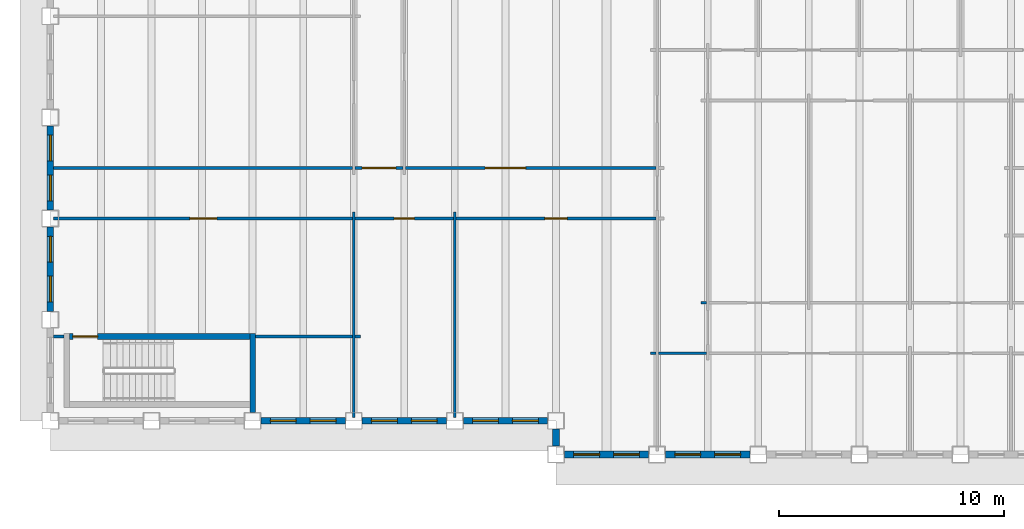
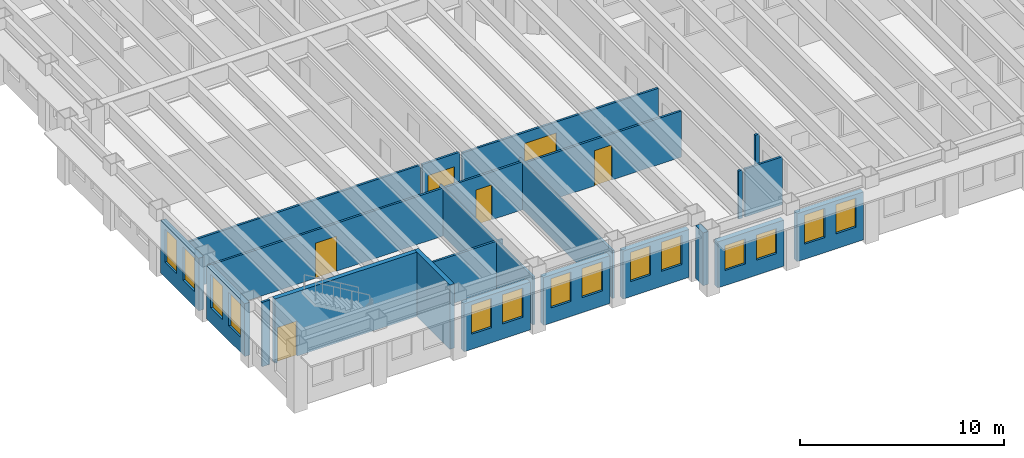
# One storey, part 3 of 16: 24 walls, 14 windows, 6 doors, 20 openings.
"""IFC4 building model written with IfcOpenShell, lengths in metres."""

from ifc_helpers import new_model, si_unit, direction, frame, frame_2d, origin, place, context, subcontext, project, spatial, rectangle, extrude, material, layer, layer_set, type_object, element, fill, save


model = new_model("IFC4")

# Units and contexts
model_context = context("Model", 3, precision=1e-05, world=origin(), true_north=direction((0.0, 1.0)))
body_context = subcontext(model_context, "Body", "Model", "MODEL_VIEW")
ifc_project = project(units=[si_unit("LENGTHUNIT", "METRE"), si_unit("AREAUNIT", "SQUARE_METRE"), si_unit("VOLUMEUNIT", "CUBIC_METRE"), si_unit("PLANEANGLEUNIT", "RADIAN"), si_unit("MASSUNIT", "GRAM", prefix="KILO")], contexts=[model_context])

# Site, building, storey
site_placement = place(None, origin())
site = spatial("IfcSite", under=ifc_project, at=site_placement, CompositionType="ELEMENT")
building_placement = place(site_placement, origin())
building = spatial("IfcBuilding", under=site, at=building_placement, Name="Sennacour Bend Tower", CompositionType="ELEMENT")
storey_placement = place(building_placement, frame((0.0, 0.0, 227.0)))
storey = spatial("IfcBuildingStorey", under=building, at=storey_placement, Name="L52", CompositionType="ELEMENT", Elevation=227.0)

# Walls
ifc_material_1 = material(Name="Plasterboard partition on steel studs", Category="steel")
ifc_layer_1 = layer(ifc_material_1, 0.1201171875, Name="Plasterboard partition on steel studs", Category="steel")
ifc_layer_set_1 = layer_set([ifc_layer_1], Name="Plasterboard partition on steel studs")
wall_type_1 = type_object("IfcWallType", Name="Partition 120", PredefinedType="PARTITIONING", material=ifc_layer_set_1)
for number, where, z_axis, x_axis, name in (
    (1, (13.5, 0.14990234375, 0.0), (0.0, 0.0, 1.0), (0.0, 1.0, 0.0), "P-L52-W015a"),
    (2, (18.0, 0.14990234375, 0.0), (0.0, 0.0, 1.0), (0.0, 1.0, 0.0), "P-L52-W020a"),
):
    element("IfcWall", number, at=place(storey_placement, frame(where, z_axis=z_axis, x_axis=x_axis)), inside=storey, type_object=wall_type_1, Name=name, PredefinedType="PARTITIONING", context=body_context, shape_type="SweptSolid", body=[
        extrude(rectangle(XDim=9.150146484375, YDim=0.1201171875, at=frame_2d((4.5751953125, 0.0))), origin(), (0.0, 0.0, 1.0), 2.8701171875),
    ])
wall_1_placement = place(storey_placement, frame((26.699951171875, 3.0, 0.0), z_axis=(0.0, 0.0, 1.0), x_axis=(1.0, 0.0, 0.0)))
element("IfcWall", 3, at=wall_1_placement, inside=storey, type_object=wall_type_1, Name="P-L52-W053aa", PredefinedType="PARTITIONING", context=body_context, shape_type="SweptSolid", body=[
    extrude(rectangle(XDim=0.239990234375, YDim=0.1201171875, at=frame_2d((0.1201171875, 0.0))), origin(), (0.0, 0.0, 1.0), 2.8701171875),
])
wall_2_placement = place(storey_placement, frame((27.06005859375, 3.0, 0.0), z_axis=(0.0, 0.0, 1.0), x_axis=(1.0, 0.0, 0.0)))
element("IfcWall", 4, at=wall_2_placement, inside=storey, type_object=wall_type_1, Name="P-L52-W053ab", PredefinedType="PARTITIONING", context=body_context, shape_type="SweptSolid", body=[
    extrude(rectangle(XDim=2.1298828125, YDim=0.1201171875, at=frame_2d((1.06494140625, 0.0))), origin(), (0.0, 0.0, 1.0), 2.8701171875),
])
wall_3_placement = place(storey_placement, frame((0.14990234375, 3.75, 0.0), z_axis=(0.0, 0.0, 1.0), x_axis=(1.0, 0.0, 0.0)))
element("IfcWall", 5, at=wall_3_placement, inside=storey, type_object=wall_type_1, Name="P-L52-W054a", PredefinedType="PARTITIONING", context=body_context, shape_type="SweptSolid", body=[
    extrude(rectangle(XDim=0.4501953125, YDim=0.1201171875, at=frame_2d((0.22509765625, 0.0))), origin(), (0.0, 0.0, 1.0), 3.85009765625),
])
wall_4_placement = place(storey_placement, frame((9.125, 3.75, 0.0), z_axis=(0.0, 0.0, 1.0), x_axis=(1.0, 0.0, 0.0)))
element("IfcWall", 6, at=wall_4_placement, inside=storey, type_object=wall_type_1, Name="P-L52-W056aa", PredefinedType="PARTITIONING", context=body_context, shape_type="SweptSolid", body=[
    extrude(rectangle(XDim=4.31494140625, YDim=0.1201171875, at=frame_2d((2.157470703125, 0.0))), origin(), (0.0, 0.0, 1.0), 2.8701171875),
])
for number, where, z_axis, x_axis, name in (
    (7, (13.56005859375, 3.75, 0.0), (0.0, 0.0, 1.0), (1.0, 0.0, 0.0), "P-L52-W056ab"),
    (8, (28.949951171875, 5.25, 0.0), (0.0, 0.0, 1.0), (1.0, 0.0, 0.0), "P-L52-W059aa"),
):
    element("IfcWall", number, at=place(storey_placement, frame(where, z_axis=z_axis, x_axis=x_axis)), inside=storey, type_object=wall_type_1, Name=name, PredefinedType="PARTITIONING", context=body_context, shape_type="SweptSolid", body=[
        extrude(rectangle(XDim=0.239990234375, YDim=0.1201171875, at=frame_2d((0.1201171875, 0.0))), origin(), (0.0, 0.0, 1.0), 2.8701171875),
    ])

# Wall, opening, door
wall_5_placement = place(storey_placement, frame((18.06005859375, 9.0, 0.0), z_axis=(0.0, 0.0, 1.0), x_axis=(1.0, 0.0, 0.0)))
wall_5 = element("IfcWall", 9, at=wall_5_placement, inside=storey, type_object=wall_type_1, Name="P-L52-W062ac", PredefinedType="PARTITIONING", context=body_context, shape_type="SweptSolid", body=[
    extrude(rectangle(XDim=8.8798828125, YDim=0.1201171875, at=frame_2d((4.43994140625, 0.0))), origin(), (0.0, 0.0, 1.0), 2.760009765625),
])
opening_1_placement = place(wall_5_placement, frame((3.93994140625, 0.0, 0.0)))
opening_1 = element("IfcOpeningElement", 10, at=opening_1_placement, cuts=wall_5, Name="Opening OD2", PredefinedType="OPENING", context=body_context, shape_type="SweptSolid", body=[
    extrude(rectangle(XDim=1.0, YDim=2.10009765625, at=frame_2d((0.5, 1.050048828125))), frame((0.0, 0.070068359375, 0.0), z_axis=(0.0, -1.0, 0.0), x_axis=(1.0, 0.0, 0.0)), (0.0, 0.0, 1.0), 0.14013671875),
])
ifc_material_2 = material(Name="Timber", Category="wood")
door_type_1 = type_object("IfcDoorType", Name="DR-OFFICE-1000", OperationType="NOTDEFINED", PredefinedType="DOOR", material=ifc_material_2)
door_1_placement = place(opening_1_placement, origin())
door_1 = element("IfcDoor", 11, at=door_1_placement, inside=storey, type_object=door_type_1, Name="Door", OperationType="SINGLE_SWING_LEFT", OverallHeight=2.10009765625, OverallWidth=1.0, PredefinedType="DOOR", context=body_context, shape_type="SweptSolid", body=[
    extrude(rectangle(XDim=1.0, YDim=2.10009765625, at=frame_2d((0.5, 1.050048828125))), frame((0.0, 0.02490234375, 0.0), z_axis=(0.0, -1.0, 0.0), x_axis=(1.0, 0.0, 0.0)), (0.0, 0.0, 1.0), 0.050048828125),
])
fill(opening_1, door_1)

# Wall
wall_6_placement = place(storey_placement, frame((0.14990234375, 11.25, 0.0), z_axis=(0.0, 0.0, 1.0), x_axis=(1.0, 0.0, 0.0)))
element("IfcWall", 12, at=wall_6_placement, inside=storey, type_object=wall_type_1, Name="P-L52-W065aa", PredefinedType="PARTITIONING", context=body_context, shape_type="SweptSolid", body=[
    extrude(rectangle(XDim=13.2900390625, YDim=0.1201171875, at=frame_2d((6.64501953125, 0.0))), origin(), (0.0, 0.0, 1.0), 2.8701171875),
])

# Wall, opening, door
wall_7_placement = place(storey_placement, frame((15.81005859375, 11.25, 0.0), z_axis=(0.0, 0.0, 1.0), x_axis=(1.0, 0.0, 0.0)))
wall_7 = element("IfcWall", 13, at=wall_7_placement, inside=storey, type_object=wall_type_1, Name="P-L52-W065ac", PredefinedType="PARTITIONING", context=body_context, shape_type="SweptSolid", body=[
    extrude(rectangle(XDim=11.1298828125, YDim=0.1201171875, at=frame_2d((5.56494140625, 0.0))), origin(), (0.0, 0.0, 1.0), 2.760009765625),
])
opening_2_placement = place(wall_7_placement, frame((3.539794921875, 0.0, 0.0)))
opening_2 = element("IfcOpeningElement", 14, at=opening_2_placement, cuts=wall_7, Name="Opening OD3", PredefinedType="OPENING", context=body_context, shape_type="SweptSolid", body=[
    extrude(rectangle(XDim=1.800048828125, YDim=2.10009765625, at=frame_2d((0.89990234375, 1.050048828125))), frame((0.0, 0.070068359375, 0.0), z_axis=(0.0, -1.0, 0.0), x_axis=(1.0, 0.0, 0.0)), (0.0, 0.0, 1.0), 0.14013671875),
])
door_type_2 = type_object("IfcDoorType", Name="DR-OFFICE-1800", OperationType="NOTDEFINED", PredefinedType="DOOR", material=ifc_material_2)
door_2_placement = place(opening_2_placement, origin())
door_2 = element("IfcDoor", 15, at=door_2_placement, inside=storey, type_object=door_type_2, Name="Door", OperationType="DOUBLE_DOOR_SINGLE_SWING", OverallHeight=2.10009765625, OverallWidth=1.800048828125, PredefinedType="DOOR", context=body_context, shape_type="SweptSolid", body=[
    extrude(rectangle(XDim=1.800048828125, YDim=2.10009765625, at=frame_2d((0.89990234375, 1.050048828125))), frame((0.0, 0.02490234375, 0.0), z_axis=(0.0, -1.0, 0.0), x_axis=(1.0, 0.0, 0.0)), (0.0, 0.0, 1.0), 0.050048828125),
])
fill(opening_2, door_2)

ifc_layer_2 = layer(ifc_material_1, 0.1201171875, Name="Plasterboard partition on steel studs", Category="steel")
ifc_layer_set_2 = layer_set([ifc_layer_2], Name="Plasterboard partition on steel studs")
wall_type_2 = type_object("IfcWallType", Name="Partition 120 EI 30", PredefinedType="PARTITIONING", material=ifc_layer_set_2)
wall_8_placement = place(storey_placement, frame((0.14990234375, 9.0, 0.0), z_axis=(0.0, 0.0, 1.0), x_axis=(1.0, 0.0, 0.0)))
wall_8 = element("IfcWall", 16, at=wall_8_placement, inside=storey, type_object=wall_type_2, Name="P-L52-W062aa", PredefinedType="PARTITIONING", context=body_context, shape_type="SweptSolid", body=[
    extrude(rectangle(XDim=13.2900390625, YDim=0.1201171875, at=frame_2d((6.64501953125, 0.0))), origin(), (0.0, 0.0, 1.0), 2.8701171875),
])
opening_3_placement = place(wall_8_placement, frame((6.05517578125, 0.0, 0.0)))
opening_3 = element("IfcOpeningElement", 17, at=opening_3_placement, cuts=wall_8, Name="Opening KD2", PredefinedType="OPENING", context=body_context, shape_type="SweptSolid", body=[
    extrude(rectangle(XDim=1.199951171875, YDim=2.10009765625, at=frame_2d((0.60009765625, 1.050048828125))), frame((0.0, 0.070068359375, 0.0), z_axis=(0.0, -1.0, 0.0), x_axis=(1.0, 0.0, 0.0)), (0.0, 0.0, 1.0), 0.14013671875),
])
ifc_material_3 = material(Name="Painted steel", Category="steel")
door_type_3 = type_object("IfcDoorType", Name="DR-CORRIDOR-1200", OperationType="NOTDEFINED", PredefinedType="DOOR", material=ifc_material_3)
door_3_placement = place(opening_3_placement, origin())
door_3 = element("IfcDoor", 18, at=door_3_placement, inside=storey, type_object=door_type_3, Name="Door", OperationType="SINGLE_SWING_LEFT", OverallHeight=2.10009765625, OverallWidth=1.199951171875, PredefinedType="DOOR", context=body_context, shape_type="SweptSolid", body=[
    extrude(rectangle(XDim=1.199951171875, YDim=2.10009765625, at=frame_2d((0.60009765625, 1.050048828125))), frame((0.0, 0.02490234375, 0.0), z_axis=(0.0, -1.0, 0.0), x_axis=(1.0, 0.0, 0.0)), (0.0, 0.0, 1.0), 0.050048828125),
])
fill(opening_3, door_3)

wall_9_placement = place(storey_placement, frame((13.56005859375, 11.25, 0.0), z_axis=(0.0, 0.0, 1.0), x_axis=(1.0, 0.0, 0.0)))
wall_9 = element("IfcWall", 19, at=wall_9_placement, inside=storey, type_object=wall_type_2, Name="P-L52-W065ab", PredefinedType="PARTITIONING", context=body_context, shape_type="SweptSolid", body=[
    extrude(rectangle(XDim=2.1298828125, YDim=0.1201171875, at=frame_2d((1.06494140625, 0.0))), origin(), (0.0, 0.0, 1.0), 2.8701171875),
])
opening_4_placement = place(wall_9_placement, frame((0.31494140625, 0.0, 0.0)))
opening_4 = element("IfcOpeningElement", 20, at=opening_4_placement, cuts=wall_9, Name="Opening KD", PredefinedType="OPENING", context=body_context, shape_type="SweptSolid", body=[
    extrude(rectangle(XDim=1.5, YDim=2.10009765625, at=frame_2d((0.75, 1.050048828125))), frame((0.0, 0.070068359375, 0.0), z_axis=(0.0, -1.0, 0.0), x_axis=(1.0, 0.0, 0.0)), (0.0, 0.0, 1.0), 0.14013671875),
])
door_type_4 = type_object("IfcDoorType", Name="DR-CORRIDOR-1500", OperationType="NOTDEFINED", PredefinedType="DOOR", material=ifc_material_3)
door_4_placement = place(opening_4_placement, origin())
door_4 = element("IfcDoor", 21, at=door_4_placement, inside=storey, type_object=door_type_4, Name="Door", OperationType="SINGLE_SWING_LEFT", OverallHeight=2.10009765625, OverallWidth=1.5, PredefinedType="DOOR", context=body_context, shape_type="SweptSolid", body=[
    extrude(rectangle(XDim=1.5, YDim=2.10009765625, at=frame_2d((0.75, 1.050048828125))), frame((0.0, 0.02490234375, 0.0), z_axis=(0.0, -1.0, 0.0), x_axis=(1.0, 0.0, 0.0)), (0.0, 0.0, 1.0), 0.050048828125),
])
fill(opening_4, door_4)

ifc_layer_3 = layer(ifc_material_1, 0.1201171875, Name="Plasterboard partition on steel studs", Category="steel")
ifc_layer_set_3 = layer_set([ifc_layer_3], Name="Plasterboard partition on steel studs")
wall_type_3 = type_object("IfcWallType", Name="Partition 120 EI 60", PredefinedType="PARTITIONING", material=ifc_layer_set_3)
wall_10_placement = place(storey_placement, frame((13.56005859375, 9.0, 0.0), z_axis=(0.0, 0.0, 1.0), x_axis=(1.0, 0.0, 0.0)))
wall_10 = element("IfcWall", 22, at=wall_10_placement, inside=storey, type_object=wall_type_3, Name="P-L52-W062ab", PredefinedType="PARTITIONING", context=body_context, shape_type="SweptSolid", body=[
    extrude(rectangle(XDim=4.3798828125, YDim=0.1201171875, at=frame_2d((2.18994140625, 0.0))), origin(), (0.0, 0.0, 1.0), 2.8701171875),
])
opening_5_placement = place(wall_10_placement, frame((1.739990234375, 0.0, 0.0)))
opening_5 = element("IfcOpeningElement", 23, at=opening_5_placement, cuts=wall_10, Name="Opening SV", PredefinedType="OPENING", context=body_context, shape_type="SweptSolid", body=[
    extrude(rectangle(XDim=0.89990234375, YDim=2.10009765625, at=frame_2d((0.449951171875, 1.050048828125))), frame((0.0, 0.070068359375, 0.0), z_axis=(0.0, -1.0, 0.0), x_axis=(1.0, 0.0, 0.0)), (0.0, 0.0, 1.0), 0.14013671875),
])
door_type_5 = type_object("IfcDoorType", Name="DR-SERVICE-900", OperationType="NOTDEFINED", PredefinedType="DOOR", material=ifc_material_3)
door_5_placement = place(opening_5_placement, origin())
door_5 = element("IfcDoor", 24, at=door_5_placement, inside=storey, type_object=door_type_5, Name="Door", OperationType="SINGLE_SWING_LEFT", OverallHeight=2.10009765625, OverallWidth=0.89990234375, PredefinedType="DOOR", context=body_context, shape_type="SweptSolid", body=[
    extrude(rectangle(XDim=0.89990234375, YDim=2.10009765625, at=frame_2d((0.449951171875, 1.050048828125))), frame((0.0, 0.02490234375, 0.0), z_axis=(0.0, -1.0, 0.0), x_axis=(1.0, 0.0, 0.0)), (0.0, 0.0, 1.0), 0.050048828125),
])
fill(opening_5, door_5)

# Wall, openings, windows
ifc_material_4 = material(Name="Warm limestone cladding", Category="masonry")
ifc_layer_4 = layer(ifc_material_4, 0.050048828125, Name="Warm limestone cladding", Category="masonry")
ifc_material_5 = material(Name="Precast concrete C40/50", Category="concrete")
ifc_layer_5 = layer(ifc_material_5, 0.25, Name="Precast concrete C40/50", Category="concrete")
ifc_layer_set_4 = layer_set([ifc_layer_4, ifc_layer_5], Name="Precast concrete C40/50 with limestone cladding")
wall_type_4 = type_object("IfcWallType", Name="STONE-CLAD PRECAST SPANDREL 300", PredefinedType="STANDARD", material=ifc_layer_set_4)
wall_11_placement = place(storey_placement, frame((22.875, -1.5, 0.0), z_axis=(0.0, 0.0, 1.0), x_axis=(1.0, 0.0, 0.0)))
wall_11 = element("IfcWall", 25, at=wall_11_placement, inside=storey, type_object=wall_type_4, Name="Stone spandrel and pier wall L52 00.00", PredefinedType="STANDARD", context=body_context, shape_type="SweptSolid", body=[
    extrude(rectangle(XDim=3.75, YDim=0.300048828125, at=frame_2d((1.875, 0.0))), origin(), (0.0, 0.0, 1.0), 2.760009765625),
])
opening_6_placement = place(wall_11_placement, frame((0.41259765625, 0.0, 0.89990234375)))
opening_6 = element("IfcOpeningElement", 26, at=opening_6_placement, cuts=wall_11, Name="Opening W22", PredefinedType="OPENING", context=body_context, shape_type="SweptSolid", body=[
    extrude(rectangle(XDim=1.14990234375, YDim=1.5, at=frame_2d((0.574951171875, 0.75))), frame((0.0, 0.16015625, 0.0), z_axis=(0.0, -1.0, 0.0), x_axis=(1.0, 0.0, 0.0)), (0.0, 0.0, 1.0), 0.320068359375),
])
opening_7_placement = place(wall_11_placement, frame((2.1875, 0.0, 0.89990234375)))
opening_7 = element("IfcOpeningElement", 27, at=opening_7_placement, cuts=wall_11, Name="Opening W22", PredefinedType="OPENING", context=body_context, shape_type="SweptSolid", body=[
    extrude(rectangle(XDim=1.14990234375, YDim=1.5, at=frame_2d((0.574951171875, 0.75))), frame((0.0, 0.16015625, 0.0), z_axis=(0.0, -1.0, 0.0), x_axis=(1.0, 0.0, 0.0)), (0.0, 0.0, 1.0), 0.320068359375),
])
ifc_material_6 = material(Name="Clear low-emissivity glass", Category="glass")
window_type_1 = type_object("IfcWindowType", Name="WIN-RIBBON-1150x1500", PartitioningType="SINGLE_PANEL", PredefinedType="WINDOW", material=ifc_material_6)
window_1_placement = place(opening_6_placement, origin())
window_1 = element("IfcWindow", 28, at=window_1_placement, inside=storey, type_object=window_type_1, Name="Ribbon window L52 00.00.0", OverallHeight=1.5, OverallWidth=1.14990234375, PartitioningType="SINGLE_PANEL", PredefinedType="WINDOW", context=body_context, shape_type="SweptSolid", body=[
    extrude(rectangle(XDim=1.14990234375, YDim=1.5, at=frame_2d((0.574951171875, 0.75))), frame((0.0, 0.030029296875, 0.0), z_axis=(0.0, -1.0, 0.0), x_axis=(1.0, 0.0, 0.0)), (0.0, 0.0, 1.0), 0.06005859375),
])
fill(opening_6, window_1)
window_2_placement = place(opening_7_placement, origin())
window_2 = element("IfcWindow", 29, at=window_2_placement, inside=storey, type_object=window_type_1, Name="Ribbon window L52 00.00.1", OverallHeight=1.5, OverallWidth=1.14990234375, PartitioningType="SINGLE_PANEL", PredefinedType="WINDOW", context=body_context, shape_type="SweptSolid", body=[
    extrude(rectangle(XDim=1.14990234375, YDim=1.5, at=frame_2d((0.574951171875, 0.75))), frame((0.0, 0.030029296875, 0.0), z_axis=(0.0, -1.0, 0.0), x_axis=(1.0, 0.0, 0.0)), (0.0, 0.0, 1.0), 0.06005859375),
])
fill(opening_7, window_2)

wall_12_placement = place(storey_placement, frame((27.375, -1.5, 0.0), z_axis=(0.0, 0.0, 1.0), x_axis=(1.0, 0.0, 0.0)))
wall_12 = element("IfcWall", 30, at=wall_12_placement, inside=storey, type_object=wall_type_4, Name="Stone spandrel and pier wall L52 00.01", PredefinedType="STANDARD", context=body_context, shape_type="SweptSolid", body=[
    extrude(rectangle(XDim=3.75, YDim=0.300048828125, at=frame_2d((1.875, 0.0))), origin(), (0.0, 0.0, 1.0), 2.8701171875),
])
opening_8_placement = place(wall_12_placement, frame((0.41259765625, 0.0, 0.89990234375)))
opening_8 = element("IfcOpeningElement", 31, at=opening_8_placement, cuts=wall_12, Name="Opening W23", PredefinedType="OPENING", context=body_context, shape_type="SweptSolid", body=[
    extrude(rectangle(XDim=1.14990234375, YDim=1.75, at=frame_2d((0.574951171875, 0.875))), frame((0.0, 0.16015625, 0.0), z_axis=(0.0, -1.0, 0.0), x_axis=(1.0, 0.0, 0.0)), (0.0, 0.0, 1.0), 0.320068359375),
])
opening_9_placement = place(wall_12_placement, frame((2.1875, 0.0, 0.89990234375)))
opening_9 = element("IfcOpeningElement", 32, at=opening_9_placement, cuts=wall_12, Name="Opening W23", PredefinedType="OPENING", context=body_context, shape_type="SweptSolid", body=[
    extrude(rectangle(XDim=1.14990234375, YDim=1.75, at=frame_2d((0.574951171875, 0.875))), frame((0.0, 0.16015625, 0.0), z_axis=(0.0, -1.0, 0.0), x_axis=(1.0, 0.0, 0.0)), (0.0, 0.0, 1.0), 0.320068359375),
])
window_type_2 = type_object("IfcWindowType", Name="WIN-RIBBON-1150x1750", PartitioningType="SINGLE_PANEL", PredefinedType="WINDOW", material=ifc_material_6)
window_3_placement = place(opening_8_placement, origin())
window_3 = element("IfcWindow", 33, at=window_3_placement, inside=storey, type_object=window_type_2, Name="Ribbon window L52 00.01.0", OverallHeight=1.75, OverallWidth=1.14990234375, PartitioningType="SINGLE_PANEL", PredefinedType="WINDOW", context=body_context, shape_type="SweptSolid", body=[
    extrude(rectangle(XDim=1.14990234375, YDim=1.75, at=frame_2d((0.574951171875, 0.875))), frame((0.0, 0.030029296875, 0.0), z_axis=(0.0, -1.0, 0.0), x_axis=(1.0, 0.0, 0.0)), (0.0, 0.0, 1.0), 0.06005859375),
])
fill(opening_8, window_3)
window_4_placement = place(opening_9_placement, origin())
window_4 = element("IfcWindow", 34, at=window_4_placement, inside=storey, type_object=window_type_2, Name="Ribbon window L52 00.01.1", OverallHeight=1.75, OverallWidth=1.14990234375, PartitioningType="SINGLE_PANEL", PredefinedType="WINDOW", context=body_context, shape_type="SweptSolid", body=[
    extrude(rectangle(XDim=1.14990234375, YDim=1.75, at=frame_2d((0.574951171875, 0.875))), frame((0.0, 0.030029296875, 0.0), z_axis=(0.0, -1.0, 0.0), x_axis=(1.0, 0.0, 0.0)), (0.0, 0.0, 1.0), 0.06005859375),
])
fill(opening_9, window_4)

wall_13_placement = place(storey_placement, frame((0.0, 13.125, 0.0), z_axis=(0.0, 0.0, 1.0), x_axis=(0.0, -1.0, 0.0)))
wall_13 = element("IfcWall", 35, at=wall_13_placement, inside=storey, type_object=wall_type_4, Name="Stone spandrel and pier wall L52 21.02", PredefinedType="STANDARD", context=body_context, shape_type="SweptSolid", body=[
    extrude(rectangle(XDim=3.75, YDim=0.300048828125, at=frame_2d((1.875, 0.0))), origin(), (0.0, 0.0, 1.0), 3.156982421875),
])
opening_10_placement = place(wall_13_placement, frame((0.41259765625, 0.0, 0.89990234375)))
opening_10 = element("IfcOpeningElement", 36, at=opening_10_placement, cuts=wall_13, Name="Opening W24", PredefinedType="OPENING", context=body_context, shape_type="SweptSolid", body=[
    extrude(rectangle(XDim=1.14990234375, YDim=2.0, at=frame_2d((0.574951171875, 1.0))), frame((0.0, 0.16015625, 0.0), z_axis=(0.0, -1.0, 0.0), x_axis=(1.0, 0.0, 0.0)), (0.0, 0.0, 1.0), 0.320068359375),
])
opening_11_placement = place(wall_13_placement, frame((2.1875, 0.0, 0.89990234375)))
opening_11 = element("IfcOpeningElement", 37, at=opening_11_placement, cuts=wall_13, Name="Opening W24", PredefinedType="OPENING", context=body_context, shape_type="SweptSolid", body=[
    extrude(rectangle(XDim=1.14990234375, YDim=2.0, at=frame_2d((0.574951171875, 1.0))), frame((0.0, 0.16015625, 0.0), z_axis=(0.0, -1.0, 0.0), x_axis=(1.0, 0.0, 0.0)), (0.0, 0.0, 1.0), 0.320068359375),
])
window_type_3 = type_object("IfcWindowType", Name="WIN-RIBBON-1150x2000", PartitioningType="SINGLE_PANEL", PredefinedType="WINDOW", material=ifc_material_6)
window_5_placement = place(opening_10_placement, origin())
window_5 = element("IfcWindow", 38, at=window_5_placement, inside=storey, type_object=window_type_3, Name="Ribbon window L52 21.02.0", OverallHeight=2.0, OverallWidth=1.14990234375, PartitioningType="SINGLE_PANEL", PredefinedType="WINDOW", context=body_context, shape_type="SweptSolid", body=[
    extrude(rectangle(XDim=1.14990234375, YDim=2.0, at=frame_2d((0.574951171875, 1.0))), frame((0.0, 0.030029296875, 0.0), z_axis=(0.0, -1.0, 0.0), x_axis=(1.0, 0.0, 0.0)), (0.0, 0.0, 1.0), 0.06005859375),
])
fill(opening_10, window_5)
window_6_placement = place(opening_11_placement, origin())
window_6 = element("IfcWindow", 39, at=window_6_placement, inside=storey, type_object=window_type_3, Name="Ribbon window L52 21.02.1", OverallHeight=2.0, OverallWidth=1.14990234375, PartitioningType="SINGLE_PANEL", PredefinedType="WINDOW", context=body_context, shape_type="SweptSolid", body=[
    extrude(rectangle(XDim=1.14990234375, YDim=2.0, at=frame_2d((0.574951171875, 1.0))), frame((0.0, 0.030029296875, 0.0), z_axis=(0.0, -1.0, 0.0), x_axis=(1.0, 0.0, 0.0)), (0.0, 0.0, 1.0), 0.06005859375),
])
fill(opening_11, window_6)

wall_14_placement = place(storey_placement, frame((0.0, 8.625, 0.0), z_axis=(0.0, 0.0, 1.0), x_axis=(0.0, -1.0, 0.0)))
wall_14 = element("IfcWall", 40, at=wall_14_placement, inside=storey, type_object=wall_type_4, Name="Stone spandrel and pier wall L52 21.03", PredefinedType="STANDARD", context=body_context, shape_type="SweptSolid", body=[
    extrude(rectangle(XDim=3.75, YDim=0.300048828125, at=frame_2d((1.875, 0.0))), origin(), (0.0, 0.0, 1.0), 3.156982421875),
])
opening_12_placement = place(wall_14_placement, frame((0.41259765625, 0.0, 0.89990234375)))
opening_12 = element("IfcOpeningElement", 41, at=opening_12_placement, cuts=wall_14, Name="Opening W24", PredefinedType="OPENING", context=body_context, shape_type="SweptSolid", body=[
    extrude(rectangle(XDim=1.14990234375, YDim=2.0, at=frame_2d((0.574951171875, 1.0))), frame((0.0, 0.16015625, 0.0), z_axis=(0.0, -1.0, 0.0), x_axis=(1.0, 0.0, 0.0)), (0.0, 0.0, 1.0), 0.320068359375),
])
opening_13_placement = place(wall_14_placement, frame((2.1875, 0.0, 0.89990234375)))
opening_13 = element("IfcOpeningElement", 42, at=opening_13_placement, cuts=wall_14, Name="Opening W24", PredefinedType="OPENING", context=body_context, shape_type="SweptSolid", body=[
    extrude(rectangle(XDim=1.14990234375, YDim=2.0, at=frame_2d((0.574951171875, 1.0))), frame((0.0, 0.16015625, 0.0), z_axis=(0.0, -1.0, 0.0), x_axis=(1.0, 0.0, 0.0)), (0.0, 0.0, 1.0), 0.320068359375),
])
window_7_placement = place(opening_12_placement, origin())
window_7 = element("IfcWindow", 43, at=window_7_placement, inside=storey, type_object=window_type_3, Name="Ribbon window L52 21.03.0", OverallHeight=2.0, OverallWidth=1.14990234375, PartitioningType="SINGLE_PANEL", PredefinedType="WINDOW", context=body_context, shape_type="SweptSolid", body=[
    extrude(rectangle(XDim=1.14990234375, YDim=2.0, at=frame_2d((0.574951171875, 1.0))), frame((0.0, 0.030029296875, 0.0), z_axis=(0.0, -1.0, 0.0), x_axis=(1.0, 0.0, 0.0)), (0.0, 0.0, 1.0), 0.06005859375),
])
fill(opening_12, window_7)
window_8_placement = place(opening_13_placement, origin())
window_8 = element("IfcWindow", 44, at=window_8_placement, inside=storey, type_object=window_type_3, Name="Ribbon window L52 21.03.1", OverallHeight=2.0, OverallWidth=1.14990234375, PartitioningType="SINGLE_PANEL", PredefinedType="WINDOW", context=body_context, shape_type="SweptSolid", body=[
    extrude(rectangle(XDim=1.14990234375, YDim=2.0, at=frame_2d((0.574951171875, 1.0))), frame((0.0, 0.030029296875, 0.0), z_axis=(0.0, -1.0, 0.0), x_axis=(1.0, 0.0, 0.0)), (0.0, 0.0, 1.0), 0.06005859375),
])
fill(opening_13, window_8)

wall_15_placement = place(storey_placement, frame((9.375, 0.0, 0.0), z_axis=(0.0, 0.0, 1.0), x_axis=(1.0, 0.0, 0.0)))
wall_15 = element("IfcWall", 45, at=wall_15_placement, inside=storey, type_object=wall_type_4, Name="Stone spandrel and pier wall L52 22.02", PredefinedType="STANDARD", context=body_context, shape_type="SweptSolid", body=[
    extrude(rectangle(XDim=3.75, YDim=0.300048828125, at=frame_2d((1.875, 0.0))), origin(), (0.0, 0.0, 1.0), 2.8701171875),
])
opening_14_placement = place(wall_15_placement, frame((0.41259765625, 0.0, 0.89990234375)))
opening_14 = element("IfcOpeningElement", 46, at=opening_14_placement, cuts=wall_15, Name="Opening W23", PredefinedType="OPENING", context=body_context, shape_type="SweptSolid", body=[
    extrude(rectangle(XDim=1.14990234375, YDim=1.75, at=frame_2d((0.574951171875, 0.875))), frame((0.0, 0.16015625, 0.0), z_axis=(0.0, -1.0, 0.0), x_axis=(1.0, 0.0, 0.0)), (0.0, 0.0, 1.0), 0.320068359375),
])
opening_15_placement = place(wall_15_placement, frame((2.1875, 0.0, 0.89990234375)))
opening_15 = element("IfcOpeningElement", 47, at=opening_15_placement, cuts=wall_15, Name="Opening W23", PredefinedType="OPENING", context=body_context, shape_type="SweptSolid", body=[
    extrude(rectangle(XDim=1.14990234375, YDim=1.75, at=frame_2d((0.574951171875, 0.875))), frame((0.0, 0.16015625, 0.0), z_axis=(0.0, -1.0, 0.0), x_axis=(1.0, 0.0, 0.0)), (0.0, 0.0, 1.0), 0.320068359375),
])
window_9_placement = place(opening_14_placement, origin())
window_9 = element("IfcWindow", 48, at=window_9_placement, inside=storey, type_object=window_type_2, Name="Ribbon window L52 22.02.0", OverallHeight=1.75, OverallWidth=1.14990234375, PartitioningType="SINGLE_PANEL", PredefinedType="WINDOW", context=body_context, shape_type="SweptSolid", body=[
    extrude(rectangle(XDim=1.14990234375, YDim=1.75, at=frame_2d((0.574951171875, 0.875))), frame((0.0, 0.030029296875, 0.0), z_axis=(0.0, -1.0, 0.0), x_axis=(1.0, 0.0, 0.0)), (0.0, 0.0, 1.0), 0.06005859375),
])
fill(opening_14, window_9)
window_10_placement = place(opening_15_placement, origin())
window_10 = element("IfcWindow", 49, at=window_10_placement, inside=storey, type_object=window_type_2, Name="Ribbon window L52 22.02.1", OverallHeight=1.75, OverallWidth=1.14990234375, PartitioningType="SINGLE_PANEL", PredefinedType="WINDOW", context=body_context, shape_type="SweptSolid", body=[
    extrude(rectangle(XDim=1.14990234375, YDim=1.75, at=frame_2d((0.574951171875, 0.875))), frame((0.0, 0.030029296875, 0.0), z_axis=(0.0, -1.0, 0.0), x_axis=(1.0, 0.0, 0.0)), (0.0, 0.0, 1.0), 0.06005859375),
])
fill(opening_15, window_10)

wall_16_placement = place(storey_placement, frame((13.875, 0.0, 0.0), z_axis=(0.0, 0.0, 1.0), x_axis=(1.0, 0.0, 0.0)))
wall_16 = element("IfcWall", 50, at=wall_16_placement, inside=storey, type_object=wall_type_4, Name="Stone spandrel and pier wall L52 22.03", PredefinedType="STANDARD", context=body_context, shape_type="SweptSolid", body=[
    extrude(rectangle(XDim=3.75, YDim=0.300048828125, at=frame_2d((1.875, 0.0))), origin(), (0.0, 0.0, 1.0), 2.8701171875),
])
opening_16_placement = place(wall_16_placement, frame((0.41259765625, 0.0, 0.89990234375)))
opening_16 = element("IfcOpeningElement", 51, at=opening_16_placement, cuts=wall_16, Name="Opening W23", PredefinedType="OPENING", context=body_context, shape_type="SweptSolid", body=[
    extrude(rectangle(XDim=1.14990234375, YDim=1.75, at=frame_2d((0.574951171875, 0.875))), frame((0.0, 0.16015625, 0.0), z_axis=(0.0, -1.0, 0.0), x_axis=(1.0, 0.0, 0.0)), (0.0, 0.0, 1.0), 0.320068359375),
])
opening_17_placement = place(wall_16_placement, frame((2.1875, 0.0, 0.89990234375)))
opening_17 = element("IfcOpeningElement", 52, at=opening_17_placement, cuts=wall_16, Name="Opening W23", PredefinedType="OPENING", context=body_context, shape_type="SweptSolid", body=[
    extrude(rectangle(XDim=1.14990234375, YDim=1.75, at=frame_2d((0.574951171875, 0.875))), frame((0.0, 0.16015625, 0.0), z_axis=(0.0, -1.0, 0.0), x_axis=(1.0, 0.0, 0.0)), (0.0, 0.0, 1.0), 0.320068359375),
])
window_11_placement = place(opening_16_placement, origin())
window_11 = element("IfcWindow", 53, at=window_11_placement, inside=storey, type_object=window_type_2, Name="Ribbon window L52 22.03.0", OverallHeight=1.75, OverallWidth=1.14990234375, PartitioningType="SINGLE_PANEL", PredefinedType="WINDOW", context=body_context, shape_type="SweptSolid", body=[
    extrude(rectangle(XDim=1.14990234375, YDim=1.75, at=frame_2d((0.574951171875, 0.875))), frame((0.0, 0.030029296875, 0.0), z_axis=(0.0, -1.0, 0.0), x_axis=(1.0, 0.0, 0.0)), (0.0, 0.0, 1.0), 0.06005859375),
])
fill(opening_16, window_11)
window_12_placement = place(opening_17_placement, origin())
window_12 = element("IfcWindow", 54, at=window_12_placement, inside=storey, type_object=window_type_2, Name="Ribbon window L52 22.03.1", OverallHeight=1.75, OverallWidth=1.14990234375, PartitioningType="SINGLE_PANEL", PredefinedType="WINDOW", context=body_context, shape_type="SweptSolid", body=[
    extrude(rectangle(XDim=1.14990234375, YDim=1.75, at=frame_2d((0.574951171875, 0.875))), frame((0.0, 0.030029296875, 0.0), z_axis=(0.0, -1.0, 0.0), x_axis=(1.0, 0.0, 0.0)), (0.0, 0.0, 1.0), 0.06005859375),
])
fill(opening_17, window_12)

wall_17_placement = place(storey_placement, frame((18.375, 0.0, 0.0), z_axis=(0.0, 0.0, 1.0), x_axis=(1.0, 0.0, 0.0)))
wall_17 = element("IfcWall", 55, at=wall_17_placement, inside=storey, type_object=wall_type_4, Name="Stone spandrel and pier wall L52 22.04", PredefinedType="STANDARD", context=body_context, shape_type="SweptSolid", body=[
    extrude(rectangle(XDim=3.75, YDim=0.300048828125, at=frame_2d((1.875, 0.0))), origin(), (0.0, 0.0, 1.0), 2.8701171875),
])
opening_18_placement = place(wall_17_placement, frame((0.41259765625, 0.0, 0.89990234375)))
opening_18 = element("IfcOpeningElement", 56, at=opening_18_placement, cuts=wall_17, Name="Opening W23", PredefinedType="OPENING", context=body_context, shape_type="SweptSolid", body=[
    extrude(rectangle(XDim=1.14990234375, YDim=1.75, at=frame_2d((0.574951171875, 0.875))), frame((0.0, 0.16015625, 0.0), z_axis=(0.0, -1.0, 0.0), x_axis=(1.0, 0.0, 0.0)), (0.0, 0.0, 1.0), 0.320068359375),
])
opening_19_placement = place(wall_17_placement, frame((2.1875, 0.0, 0.89990234375)))
opening_19 = element("IfcOpeningElement", 57, at=opening_19_placement, cuts=wall_17, Name="Opening W23", PredefinedType="OPENING", context=body_context, shape_type="SweptSolid", body=[
    extrude(rectangle(XDim=1.14990234375, YDim=1.75, at=frame_2d((0.574951171875, 0.875))), frame((0.0, 0.16015625, 0.0), z_axis=(0.0, -1.0, 0.0), x_axis=(1.0, 0.0, 0.0)), (0.0, 0.0, 1.0), 0.320068359375),
])
window_13_placement = place(opening_18_placement, origin())
window_13 = element("IfcWindow", 58, at=window_13_placement, inside=storey, type_object=window_type_2, Name="Ribbon window L52 22.04.0", OverallHeight=1.75, OverallWidth=1.14990234375, PartitioningType="SINGLE_PANEL", PredefinedType="WINDOW", context=body_context, shape_type="SweptSolid", body=[
    extrude(rectangle(XDim=1.14990234375, YDim=1.75, at=frame_2d((0.574951171875, 0.875))), frame((0.0, 0.030029296875, 0.0), z_axis=(0.0, -1.0, 0.0), x_axis=(1.0, 0.0, 0.0)), (0.0, 0.0, 1.0), 0.06005859375),
])
fill(opening_18, window_13)
window_14_placement = place(opening_19_placement, origin())
window_14 = element("IfcWindow", 59, at=window_14_placement, inside=storey, type_object=window_type_2, Name="Ribbon window L52 22.04.1", OverallHeight=1.75, OverallWidth=1.14990234375, PartitioningType="SINGLE_PANEL", PredefinedType="WINDOW", context=body_context, shape_type="SweptSolid", body=[
    extrude(rectangle(XDim=1.14990234375, YDim=1.75, at=frame_2d((0.574951171875, 0.875))), frame((0.0, 0.030029296875, 0.0), z_axis=(0.0, -1.0, 0.0), x_axis=(1.0, 0.0, 0.0)), (0.0, 0.0, 1.0), 0.06005859375),
])
fill(opening_19, window_14)

# Walls
wall_18_placement = place(storey_placement, frame((22.5, -0.375, 0.0), z_axis=(0.0, 0.0, 1.0), x_axis=(0.0, -1.0, 0.0)))
element("IfcWall", 60, at=wall_18_placement, inside=storey, type_object=wall_type_4, Name="Stone spandrel and pier wall L52 23.00", PredefinedType="STANDARD", context=body_context, shape_type="SweptSolid", body=[
    extrude(rectangle(XDim=0.75, YDim=0.300048828125, at=frame_2d((0.375, 0.0))), origin(), (0.0, 0.0, 1.0), 3.156982421875),
])
ifc_material_7 = material(Name="Concrete C60/75", Category="concrete")
ifc_layer_6 = layer(ifc_material_7, 0.25, Name="Concrete C60/75", Category="concrete")
ifc_layer_set_5 = layer_set([ifc_layer_6], Name="Concrete C60/75")
wall_type_5 = type_object("IfcWallType", Name="Stair wall 250", PredefinedType="SHEAR", material=ifc_layer_set_5)
wall_19_placement = place(storey_placement, frame((9.0, 0.375, 0.0), z_axis=(0.0, 0.0, 1.0), x_axis=(0.0, 1.0, 0.0)))
element("IfcWall", 61, at=wall_19_placement, inside=storey, type_object=wall_type_5, Name="P-L52-W009", PredefinedType="SHEAR", context=body_context, shape_type="SweptSolid", body=[
    extrude(rectangle(XDim=3.5, YDim=0.25, at=frame_2d((1.75, 0.0))), origin(), (0.0, 0.0, 1.0), 3.85009765625),
])

# Wall, opening, door
wall_20_placement = place(storey_placement, frame((0.85009765625, 3.75, 0.0), z_axis=(0.0, 0.0, 1.0), x_axis=(1.0, 0.0, 0.0)))
wall_20 = element("IfcWall", 62, at=wall_20_placement, inside=storey, type_object=wall_type_5, Name="P-L52-W055", PredefinedType="SHEAR", context=body_context, shape_type="SweptSolid", body=[
    extrude(rectangle(XDim=8.02490234375, YDim=0.25, at=frame_2d((4.012451171875, 0.0))), origin(), (0.0, 0.0, 1.0), 3.85009765625),
])
opening_20_placement = place(wall_20_placement, frame((0.14990234375, 0.0, 0.0)))
opening_20 = element("IfcOpeningElement", 63, at=opening_20_placement, cuts=wall_20, Name="Opening SD", PredefinedType="OPENING", context=body_context, shape_type="SweptSolid", body=[
    extrude(rectangle(XDim=1.10009765625, YDim=2.10009765625, at=frame_2d((0.550048828125, 1.050048828125))), frame((0.0, 0.135009765625, 0.0), z_axis=(0.0, -1.0, 0.0), x_axis=(1.0, 0.0, 0.0)), (0.0, 0.0, 1.0), 0.27001953125),
])
door_type_6 = type_object("IfcDoorType", Name="DR-STAIR-1100", OperationType="NOTDEFINED", PredefinedType="DOOR", material=ifc_material_3)
door_6_placement = place(opening_20_placement, origin())
door_6 = element("IfcDoor", 64, at=door_6_placement, inside=storey, type_object=door_type_6, Name="Door", OperationType="SINGLE_SWING_LEFT", OverallHeight=2.10009765625, OverallWidth=1.10009765625, PredefinedType="DOOR", context=body_context, shape_type="SweptSolid", body=[
    extrude(rectangle(XDim=1.10009765625, YDim=2.10009765625, at=frame_2d((0.550048828125, 1.050048828125))), frame((0.0, 0.02490234375, 0.0), z_axis=(0.0, -1.0, 0.0), x_axis=(1.0, 0.0, 0.0)), (0.0, 0.0, 1.0), 0.050048828125),
])
fill(opening_20, door_6)

save(model, "model.ifc")
